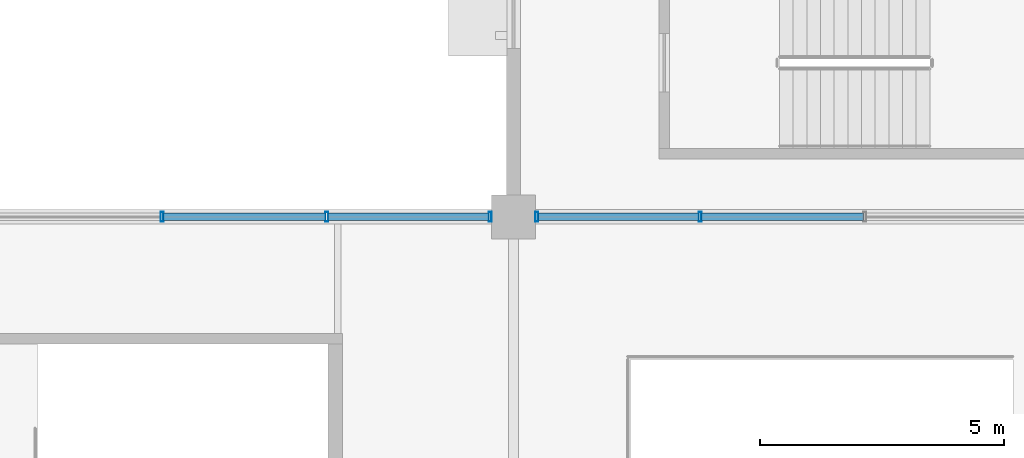
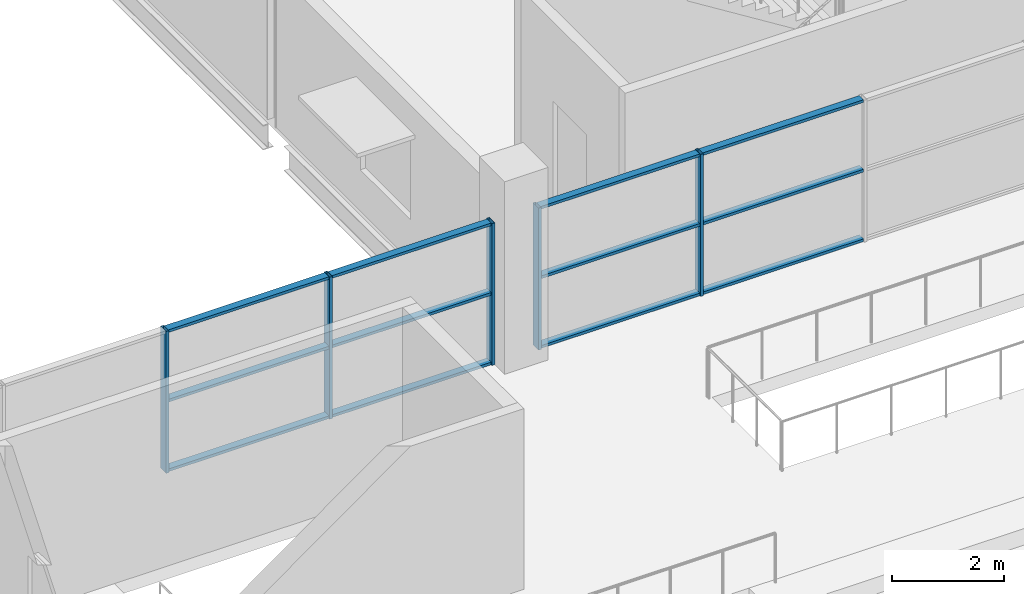
# One storey, part 55 of 161: 17 members, 2 elements without a shape of their own.
"""IFC4 building model written with IfcOpenShell, lengths in metres."""

from ifc_helpers import new_model, si_unit, direction, frame, origin, origin_2d, place, context, subcontext, project, spatial, hollow_rectangle, extrude, material, material_profile, profile_set, type_object, element, aggregate, save


model = new_model("IFC4")

# Units and contexts
model_context = context("Model", 3, precision=1e-05, world=origin(), true_north=direction((0.0, 1.0)))
body_context = subcontext(model_context, "Body", "Model", "MODEL_VIEW")
ifc_project = project(units=[si_unit("LENGTHUNIT", "METRE"), si_unit("AREAUNIT", "SQUARE_METRE"), si_unit("VOLUMEUNIT", "CUBIC_METRE"), si_unit("PLANEANGLEUNIT", "RADIAN"), si_unit("MASSUNIT", "GRAM", prefix="KILO"), si_unit("THERMODYNAMICTEMPERATUREUNIT", "KELVIN")], contexts=[model_context])

# Site, building, storey
site_placement = place(None, origin())
site = spatial("IfcSite", under=ifc_project, at=site_placement, CompositionType="ELEMENT")
building_placement = place(site_placement, origin())
building = spatial("IfcBuilding", under=site, at=building_placement, Name="Nduvali Passage Aquatics Centre", CompositionType="ELEMENT")
storey_placement = place(building_placement, frame((0.0, 0.0, 4.800048828125)))
storey = spatial("IfcBuildingStorey", under=building, at=storey_placement, Name="L01", CompositionType="ELEMENT", Elevation=4.800048828125)

# Curtain wall, members
ifc_material = material(Name="Aluminium EN AW-6063 T6", Category="aluminium")
curtain_wall_type = type_object("IfcCurtainWallType", Name="ENV-CW-HALL", PredefinedType="NOTDEFINED", material=ifc_material)
curtain_wall_1_placement = place(storey_placement, origin())
curtain_wall_1 = element("IfcCurtainWall", 1, at=curtain_wall_1_placement, inside=storey, type_object=curtain_wall_type, Name="L01 North Pool Hall Corner CW 054", PredefinedType="NOTDEFINED")
ifc_material_profile_1 = material_profile(ifc_material, hollow_rectangle(XDim=0.06005859375, YDim=0.199951171875, WallThickness=0.00390625, at=origin_2d()), Name="ALU MULLION 60x200x4")
ifc_profile_set_1 = profile_set([ifc_material_profile_1], Name="Aluminium EN AW-6063 T6")
member_type_1 = type_object("IfcMemberType", Name="ENV-MEM-MUL80", PredefinedType="MULLION", material=ifc_profile_set_1)
member_1_placement = place(storey_placement, frame((32.39990234375, 92.39990234375, 0.0), z_axis=(0.0, 0.0, 1.0), x_axis=(1.0, 0.0, 0.0)))
member_1 = element("IfcMember", 2, at=member_1_placement, type_object=member_type_1, Name="North Pool Hall Corner CW Mullion 3", PredefinedType="MULLION", context=body_context, shape_type="SweptSolid", body=[
    extrude(hollow_rectangle(XDim=0.06005859375, YDim=0.199951171875, WallThickness=0.00390625, at=origin_2d()), origin(), (0.0, 0.0, 1.0), 3.09521484375),
])
member_2_placement = place(storey_placement, frame((35.77490234375, 92.39990234375, 0.0), z_axis=(0.0, 0.0, 1.0), x_axis=(1.0, 0.0, 0.0)))
member_2 = element("IfcMember", 3, at=member_2_placement, type_object=member_type_1, Name="North Pool Hall Corner CW Mullion 4", PredefinedType="MULLION", context=body_context, shape_type="SweptSolid", body=[
    extrude(hollow_rectangle(XDim=0.06005859375, YDim=0.199951171875, WallThickness=0.00390625, at=origin_2d()), origin(), (0.0, 0.0, 1.0), 3.09521484375),
])
member_3_placement = place(storey_placement, frame((39.1201171875, 92.39990234375, 0.0), z_axis=(0.0, 0.0, 1.0), x_axis=(1.0, 0.0, 0.0)))
member_3 = element("IfcMember", 4, at=member_3_placement, type_object=member_type_1, Name="North Pool Hall Corner CW Mullion 5", PredefinedType="MULLION", context=body_context, shape_type="SweptSolid", body=[
    extrude(hollow_rectangle(XDim=0.06005859375, YDim=0.199951171875, WallThickness=0.00390625, at=origin_2d()), origin(), (0.0, 0.0, 1.0), 3.09521484375),
])

curtain_wall_2_placement = place(storey_placement, origin())
curtain_wall_2 = element("IfcCurtainWall", 5, at=curtain_wall_2_placement, inside=storey, type_object=curtain_wall_type, Name="L01 North Pool Hall Concourse CW 058", PredefinedType="NOTDEFINED")
member_4_placement = place(storey_placement, frame((40.080078125, 92.39990234375, 0.0), z_axis=(0.0, 0.0, 1.0), x_axis=(1.0, 0.0, 0.0)))
member_4 = element("IfcMember", 6, at=member_4_placement, type_object=member_type_1, Name="North Pool Hall Concourse CW Mullion 1", PredefinedType="MULLION", context=body_context, shape_type="SweptSolid", body=[
    extrude(hollow_rectangle(XDim=0.06005859375, YDim=0.199951171875, WallThickness=0.00390625, at=origin_2d()), origin(), (0.0, 0.0, 1.0), 3.09521484375),
])
member_5_placement = place(storey_placement, frame((43.425048828125, 92.39990234375, 0.0), z_axis=(0.0, 0.0, 1.0), x_axis=(1.0, 0.0, 0.0)))
member_5 = element("IfcMember", 7, at=member_5_placement, type_object=member_type_1, Name="North Pool Hall Concourse CW Mullion 2", PredefinedType="MULLION", context=body_context, shape_type="SweptSolid", body=[
    extrude(hollow_rectangle(XDim=0.06005859375, YDim=0.199951171875, WallThickness=0.00390625, at=origin_2d()), origin(), (0.0, 0.0, 1.0), 3.09521484375),
])

# Member
ifc_material_profile_2 = material_profile(ifc_material, hollow_rectangle(XDim=0.14990234375, YDim=0.06005859375, WallThickness=0.00390625, at=origin_2d()), Name="ALU TRANSOM 150x60x4")
ifc_profile_set_2 = profile_set([ifc_material_profile_2], Name="Aluminium EN AW-6063 T6")
member_type_2 = type_object("IfcMemberType", Name="ENV-MEM-TRN80", PredefinedType="USERDEFINED", material=ifc_profile_set_2)
member_6_placement = place(storey_placement, frame((32.429931640625, 92.39990234375, 0.030029296875), z_axis=(1.0, 0.0, 0.0), x_axis=(0.0, 1.0, 0.0)))
member_6 = element("IfcMember", 8, at=member_6_placement, type_object=member_type_2, Name="North Pool Hall Corner CW Transom B3-R0", ObjectType="TRANSOM", PredefinedType="USERDEFINED", context=body_context, shape_type="SweptSolid", body=[
    extrude(hollow_rectangle(XDim=0.14990234375, YDim=0.06005859375, WallThickness=0.00390625, at=origin_2d()), origin(), (0.0, 0.0, 1.0), 3.315185546875),
])

member_7_placement = place(storey_placement, frame((32.429931640625, 92.39990234375, 1.547607421875), z_axis=(1.0, 0.0, 0.0), x_axis=(0.0, 1.0, 0.0)))
member_7 = element("IfcMember", 9, at=member_7_placement, type_object=member_type_2, Name="North Pool Hall Corner CW Transom B3-R1", ObjectType="TRANSOM", PredefinedType="USERDEFINED", context=body_context, shape_type="SweptSolid", body=[
    extrude(hollow_rectangle(XDim=0.14990234375, YDim=0.06005859375, WallThickness=0.00390625, at=origin_2d()), origin(), (0.0, 0.0, 1.0), 3.315185546875),
])

member_8_placement = place(storey_placement, frame((32.429931640625, 92.39990234375, 3.065185546875), z_axis=(1.0, 0.0, 0.0), x_axis=(0.0, 1.0, 0.0)))
member_8 = element("IfcMember", 10, at=member_8_placement, type_object=member_type_2, Name="North Pool Hall Corner CW Transom B3-R2", ObjectType="TRANSOM", PredefinedType="USERDEFINED", context=body_context, shape_type="SweptSolid", body=[
    extrude(hollow_rectangle(XDim=0.14990234375, YDim=0.06005859375, WallThickness=0.00390625, at=origin_2d()), origin(), (0.0, 0.0, 1.0), 3.315185546875),
])

member_9_placement = place(storey_placement, frame((35.804931640625, 92.39990234375, 0.030029296875), z_axis=(1.0, 0.0, 0.0), x_axis=(0.0, 1.0, 0.0)))
member_9 = element("IfcMember", 11, at=member_9_placement, type_object=member_type_2, Name="North Pool Hall Corner CW Transom B4-R0", ObjectType="TRANSOM", PredefinedType="USERDEFINED", context=body_context, shape_type="SweptSolid", body=[
    extrude(hollow_rectangle(XDim=0.14990234375, YDim=0.06005859375, WallThickness=0.00390625, at=origin_2d()), origin(), (0.0, 0.0, 1.0), 3.28515625),
])

member_10_placement = place(storey_placement, frame((35.804931640625, 92.39990234375, 1.547607421875), z_axis=(1.0, 0.0, 0.0), x_axis=(0.0, 1.0, 0.0)))
member_10 = element("IfcMember", 12, at=member_10_placement, type_object=member_type_2, Name="North Pool Hall Corner CW Transom B4-R1", ObjectType="TRANSOM", PredefinedType="USERDEFINED", context=body_context, shape_type="SweptSolid", body=[
    extrude(hollow_rectangle(XDim=0.14990234375, YDim=0.06005859375, WallThickness=0.00390625, at=origin_2d()), origin(), (0.0, 0.0, 1.0), 3.28515625),
])

member_11_placement = place(storey_placement, frame((35.804931640625, 92.39990234375, 3.065185546875), z_axis=(1.0, 0.0, 0.0), x_axis=(0.0, 1.0, 0.0)))
member_11 = element("IfcMember", 13, at=member_11_placement, type_object=member_type_2, Name="North Pool Hall Corner CW Transom B4-R2", ObjectType="TRANSOM", PredefinedType="USERDEFINED", context=body_context, shape_type="SweptSolid", body=[
    extrude(hollow_rectangle(XDim=0.14990234375, YDim=0.06005859375, WallThickness=0.00390625, at=origin_2d()), origin(), (0.0, 0.0, 1.0), 3.28515625),
])

aggregate(curtain_wall_1, [member_1, member_2, member_3, member_6, member_7, member_8, member_9, member_10, member_11])

member_12_placement = place(storey_placement, frame((40.110107421875, 92.39990234375, 0.030029296875), z_axis=(1.0, 0.0, 0.0), x_axis=(0.0, 1.0, 0.0)))
member_12 = element("IfcMember", 14, at=member_12_placement, type_object=member_type_2, Name="North Pool Hall Concourse CW Transom B1-R0", ObjectType="TRANSOM", PredefinedType="USERDEFINED", context=body_context, shape_type="SweptSolid", body=[
    extrude(hollow_rectangle(XDim=0.14990234375, YDim=0.06005859375, WallThickness=0.00390625, at=origin_2d()), origin(), (0.0, 0.0, 1.0), 3.284912109375),
])

member_13_placement = place(storey_placement, frame((40.110107421875, 92.39990234375, 1.547607421875), z_axis=(1.0, 0.0, 0.0), x_axis=(0.0, 1.0, 0.0)))
member_13 = element("IfcMember", 15, at=member_13_placement, type_object=member_type_2, Name="North Pool Hall Concourse CW Transom B1-R1", ObjectType="TRANSOM", PredefinedType="USERDEFINED", context=body_context, shape_type="SweptSolid", body=[
    extrude(hollow_rectangle(XDim=0.14990234375, YDim=0.06005859375, WallThickness=0.00390625, at=origin_2d()), origin(), (0.0, 0.0, 1.0), 3.284912109375),
])

member_14_placement = place(storey_placement, frame((40.110107421875, 92.39990234375, 3.065185546875), z_axis=(1.0, 0.0, 0.0), x_axis=(0.0, 1.0, 0.0)))
member_14 = element("IfcMember", 16, at=member_14_placement, type_object=member_type_2, Name="North Pool Hall Concourse CW Transom B1-R2", ObjectType="TRANSOM", PredefinedType="USERDEFINED", context=body_context, shape_type="SweptSolid", body=[
    extrude(hollow_rectangle(XDim=0.14990234375, YDim=0.06005859375, WallThickness=0.00390625, at=origin_2d()), origin(), (0.0, 0.0, 1.0), 3.284912109375),
])

member_15_placement = place(storey_placement, frame((43.455078125, 92.39990234375, 0.030029296875), z_axis=(1.0, 0.0, 0.0), x_axis=(0.0, 1.0, 0.0)))
member_15 = element("IfcMember", 17, at=member_15_placement, type_object=member_type_2, Name="North Pool Hall Concourse CW Transom B2-R0", ObjectType="TRANSOM", PredefinedType="USERDEFINED", context=body_context, shape_type="SweptSolid", body=[
    extrude(hollow_rectangle(XDim=0.14990234375, YDim=0.06005859375, WallThickness=0.00390625, at=origin_2d()), origin(), (0.0, 0.0, 1.0), 3.31494140625),
])

member_16_placement = place(storey_placement, frame((43.455078125, 92.39990234375, 1.547607421875), z_axis=(1.0, 0.0, 0.0), x_axis=(0.0, 1.0, 0.0)))
member_16 = element("IfcMember", 18, at=member_16_placement, type_object=member_type_2, Name="North Pool Hall Concourse CW Transom B2-R1", ObjectType="TRANSOM", PredefinedType="USERDEFINED", context=body_context, shape_type="SweptSolid", body=[
    extrude(hollow_rectangle(XDim=0.14990234375, YDim=0.06005859375, WallThickness=0.00390625, at=origin_2d()), origin(), (0.0, 0.0, 1.0), 3.31494140625),
])

member_17_placement = place(storey_placement, frame((43.455078125, 92.39990234375, 3.065185546875), z_axis=(1.0, 0.0, 0.0), x_axis=(0.0, 1.0, 0.0)))
member_17 = element("IfcMember", 19, at=member_17_placement, type_object=member_type_2, Name="North Pool Hall Concourse CW Transom B2-R2", ObjectType="TRANSOM", PredefinedType="USERDEFINED", context=body_context, shape_type="SweptSolid", body=[
    extrude(hollow_rectangle(XDim=0.14990234375, YDim=0.06005859375, WallThickness=0.00390625, at=origin_2d()), origin(), (0.0, 0.0, 1.0), 3.31494140625),
])

aggregate(curtain_wall_2, [member_4, member_5, member_12, member_13, member_14, member_15, member_16, member_17])

save(model, "model.ifc")
